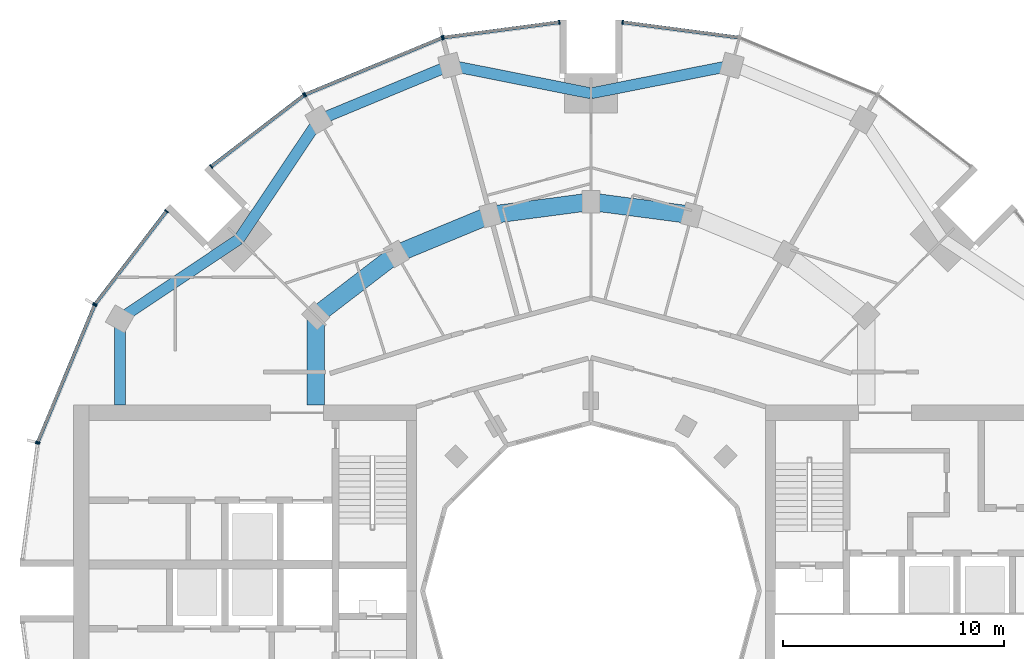
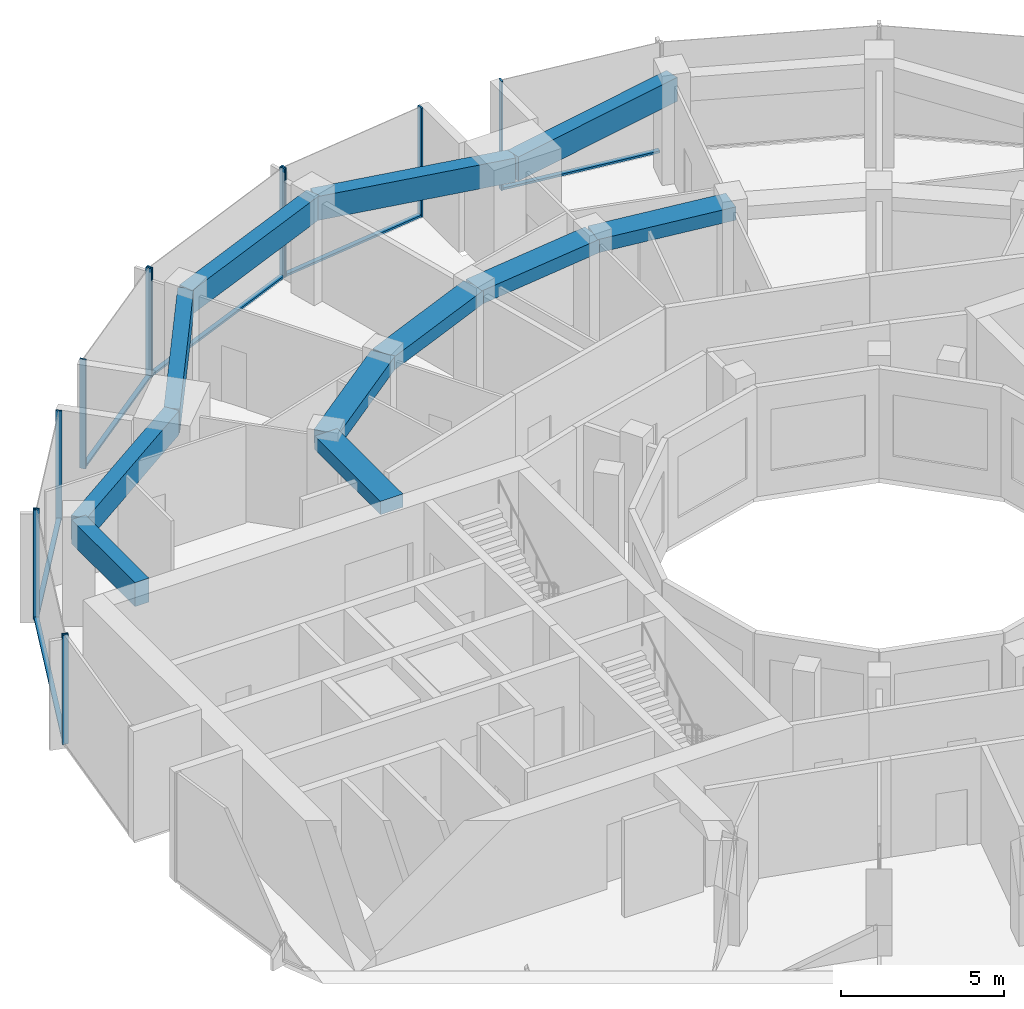
# One storey, part 5 of 15: 18 members, 11 beams, 7 elements without a shape of their own.
"""IFC4 building model written with IfcOpenShell, lengths in metres."""

from ifc_helpers import new_model, si_unit, direction, frame, origin, origin_2d, place, context, subcontext, project, spatial, rectangle, extrude, material, layer, layer_set, material_profile, profile_set, type_object, element, aggregate, save


model = new_model("IFC4")

# Units and contexts
model_context = context("Model", 3, precision=1e-05, world=origin(), true_north=direction((0.0, 1.0)))
body_context = subcontext(model_context, "Body", "Model", "MODEL_VIEW")
ifc_project = project(units=[si_unit("LENGTHUNIT", "METRE"), si_unit("AREAUNIT", "SQUARE_METRE"), si_unit("VOLUMEUNIT", "CUBIC_METRE"), si_unit("PLANEANGLEUNIT", "RADIAN"), si_unit("MASSUNIT", "GRAM", prefix="KILO")], contexts=[model_context])

# Site, building, storey
site_placement = place(None, origin())
site = spatial("IfcSite", under=ifc_project, at=site_placement, CompositionType="ELEMENT")
building_placement = place(site_placement, origin())
building = spatial("IfcBuilding", under=site, at=building_placement, Name="Torre Brocal", CompositionType="ELEMENT")
storey_placement = place(building_placement, frame((0.0, 0.0, 198.699951171875)))
storey = spatial("IfcBuildingStorey", under=building, at=storey_placement, Name="L46", CompositionType="ELEMENT", Elevation=198.699951171875)

# Curtain wall, member
ifc_material_1 = material(Name="Aluminium and glass", Category="aluminium")
ifc_layer_1 = layer(ifc_material_1, 0.199951171875)
ifc_layer_set_1 = layer_set([ifc_layer_1], Name="Aluminium and glass")
curtain_wall_type_1 = type_object("IfcCurtainWallType", Name="CW-1 CURTAIN WALL 4100 HIGH", PredefinedType="NOTDEFINED", material=ifc_layer_set_1)
curtain_wall_1_placement = place(storey_placement, origin())
curtain_wall_1 = element("IfcCurtainWall", 1, at=curtain_wall_1_placement, inside=storey, type_object=curtain_wall_type_1, Name="CW-1 RUN 6", PredefinedType="NOTDEFINED")
ifc_material_2 = material(Name="Aluminium, dark anodised", Category="aluminium")
ifc_material_profile_1 = material_profile(ifc_material_2, rectangle(XDim=0.199951171875, YDim=0.06005859375, at=origin_2d()), Name="CW-1 MULLION 60X200")
ifc_profile_set_1 = profile_set([ifc_material_profile_1], Name="Aluminium, dark anodised")
member_type_1 = type_object("IfcMemberType", Name="CW-1 MULLION 60X200", PredefinedType="MULLION", material=ifc_profile_set_1)
member_1_placement = place(storey_placement, frame((81.4296875, 100.7109375, 0.0), z_axis=(0.0, 0.0, 1.0), x_axis=(-0.13052619222, -0.991444861374, 0.0)))
member_1 = element("IfcMember", 2, at=member_1_placement, type_object=member_type_1, Name="CW1-4 mullion 2", PredefinedType="MULLION", context=body_context, shape_type="SweptSolid", body=[
    extrude(rectangle(XDim=0.199951171875, YDim=0.06005859375, at=origin_2d()), origin(), (0.0, 0.0, 1.0), 4.10009765625),
])

# Curtain wall, members
curtain_wall_2_placement = place(storey_placement, origin())
curtain_wall_2 = element("IfcCurtainWall", 3, at=curtain_wall_2_placement, inside=storey, type_object=curtain_wall_type_1, Name="CW-1 RUN 7", PredefinedType="NOTDEFINED")
member_2_placement = place(storey_placement, frame((78.5703125, 100.7109375, 0.0), z_axis=(0.0, 0.0, 1.0), x_axis=(0.13052619222, -0.991444861374, 0.0)))
member_2 = element("IfcMember", 4, at=member_2_placement, type_object=member_type_1, Name="CW1-4 mullion 1", PredefinedType="MULLION", context=body_context, shape_type="SweptSolid", body=[
    extrude(rectangle(XDim=0.199951171875, YDim=0.06005859375, at=origin_2d()), origin(), (0.0, 0.0, 1.0), 4.10009765625),
])
member_3_placement = place(storey_placement, frame((73.32666015625, 100.0205078125, 0.0), z_axis=(0.0, 0.0, 1.0), x_axis=(0.13052619222, -0.991444861374, 0.0)))
member_3 = element("IfcMember", 5, at=member_3_placement, type_object=member_type_1, Name="CW1-4 mullion 2", PredefinedType="MULLION", context=body_context, shape_type="SweptSolid", body=[
    extrude(rectangle(XDim=0.199951171875, YDim=0.06005859375, at=origin_2d()), origin(), (0.0, 0.0, 1.0), 4.10009765625),
])

curtain_wall_3_placement = place(storey_placement, origin())
curtain_wall_3 = element("IfcCurtainWall", 6, at=curtain_wall_3_placement, inside=storey, type_object=curtain_wall_type_1, Name="CW-1 RUN 8", PredefinedType="NOTDEFINED")
member_4_placement = place(storey_placement, frame((73.26904296875, 100.005126953125, 0.0), z_axis=(0.0, 0.0, 1.0), x_axis=(0.382683432333, -0.923879532525, 0.0)))
member_4 = element("IfcMember", 7, at=member_4_placement, type_object=member_type_1, Name="CW1-4 mullion 1", PredefinedType="MULLION", context=body_context, shape_type="SweptSolid", body=[
    extrude(rectangle(XDim=0.199951171875, YDim=0.06005859375, at=origin_2d()), origin(), (0.0, 0.0, 1.0), 4.10009765625),
])
member_5_placement = place(storey_placement, frame((67.078125, 97.440673828125, 0.0), z_axis=(0.0, 0.0, 1.0), x_axis=(0.382683432333, -0.923879532525, 0.0)))
member_5 = element("IfcMember", 8, at=member_5_placement, type_object=member_type_1, Name="CW1-4 mullion 2", PredefinedType="MULLION", context=body_context, shape_type="SweptSolid", body=[
    extrude(rectangle(XDim=0.199951171875, YDim=0.06005859375, at=origin_2d()), origin(), (0.0, 0.0, 1.0), 4.10009765625),
])

curtain_wall_4_placement = place(storey_placement, origin())
curtain_wall_4 = element("IfcCurtainWall", 9, at=curtain_wall_4_placement, inside=storey, type_object=curtain_wall_type_1, Name="CW-1 RUN 9", PredefinedType="NOTDEFINED")
member_6_placement = place(storey_placement, frame((67.026611328125, 97.4111328125, 0.0), z_axis=(0.0, 0.0, 1.0), x_axis=(0.60876142905, -0.793353340259, 0.0)))
member_6 = element("IfcMember", 10, at=member_6_placement, type_object=member_type_1, Name="CW1-4 mullion 1", PredefinedType="MULLION", context=body_context, shape_type="SweptSolid", body=[
    extrude(rectangle(XDim=0.199951171875, YDim=0.06005859375, at=origin_2d()), origin(), (0.0, 0.0, 1.0), 4.10009765625),
])
member_7_placement = place(storey_placement, frame((62.83056640625, 94.19140625, 0.0), z_axis=(0.0, 0.0, 1.0), x_axis=(0.60876142905, -0.793353340259, 0.0)))
member_7 = element("IfcMember", 11, at=member_7_placement, type_object=member_type_1, Name="CW1-4 mullion 2", PredefinedType="MULLION", context=body_context, shape_type="SweptSolid", body=[
    extrude(rectangle(XDim=0.199951171875, YDim=0.06005859375, at=origin_2d()), origin(), (0.0, 0.0, 1.0), 4.10009765625),
])

curtain_wall_5_placement = place(storey_placement, origin())
curtain_wall_5 = element("IfcCurtainWall", 12, at=curtain_wall_5_placement, inside=storey, type_object=curtain_wall_type_1, Name="CW-1 RUN 10", PredefinedType="NOTDEFINED")
member_8_placement = place(storey_placement, frame((60.80859375, 92.16943359375, 0.0), z_axis=(0.0, 0.0, 1.0), x_axis=(0.793353340259, -0.60876142905, 0.0)))
member_8 = element("IfcMember", 13, at=member_8_placement, type_object=member_type_1, Name="CW1-4 mullion 1", PredefinedType="MULLION", context=body_context, shape_type="SweptSolid", body=[
    extrude(rectangle(XDim=0.199951171875, YDim=0.06005859375, at=origin_2d()), origin(), (0.0, 0.0, 1.0), 4.10009765625),
])
member_9_placement = place(storey_placement, frame((57.5888671875, 87.973388671875, 0.0), z_axis=(0.0, 0.0, 1.0), x_axis=(0.793353340259, -0.60876142905, 0.0)))
member_9 = element("IfcMember", 14, at=member_9_placement, type_object=member_type_1, Name="CW1-4 mullion 2", PredefinedType="MULLION", context=body_context, shape_type="SweptSolid", body=[
    extrude(rectangle(XDim=0.199951171875, YDim=0.06005859375, at=origin_2d()), origin(), (0.0, 0.0, 1.0), 4.10009765625),
])

curtain_wall_6_placement = place(storey_placement, origin())
curtain_wall_6 = element("IfcCurtainWall", 15, at=curtain_wall_6_placement, inside=storey, type_object=curtain_wall_type_1, Name="CW-1 RUN 11", PredefinedType="NOTDEFINED")
member_10_placement = place(storey_placement, frame((57.559326171875, 87.921875, 0.0), z_axis=(0.0, 0.0, 1.0), x_axis=(0.923879532525, -0.382683432333, 0.0)))
member_10 = element("IfcMember", 16, at=member_10_placement, type_object=member_type_1, Name="CW1-4 mullion 1", PredefinedType="MULLION", context=body_context, shape_type="SweptSolid", body=[
    extrude(rectangle(XDim=0.199951171875, YDim=0.06005859375, at=origin_2d()), origin(), (0.0, 0.0, 1.0), 4.10009765625),
])
member_11_placement = place(storey_placement, frame((54.994873046875, 81.73095703125, 0.0), z_axis=(0.0, 0.0, 1.0), x_axis=(0.923879532525, -0.382683432333, 0.0)))
member_11 = element("IfcMember", 17, at=member_11_placement, type_object=member_type_1, Name="CW1-4 mullion 2", PredefinedType="MULLION", context=body_context, shape_type="SweptSolid", body=[
    extrude(rectangle(XDim=0.199951171875, YDim=0.06005859375, at=origin_2d()), origin(), (0.0, 0.0, 1.0), 4.10009765625),
])

# Member
ifc_material_3 = material(Name="Aluminium, dark anodised", Category="aluminium")
ifc_material_profile_2 = material_profile(ifc_material_3, rectangle(XDim=0.159912109375, YDim=0.080078125, at=origin_2d()), Name="CW-1 TRANSOM 160X80")
ifc_profile_set_2 = profile_set([ifc_material_profile_2], Name="Aluminium, dark anodised")
member_type_2 = type_object("IfcMemberType", Name="CW-1 TRANSOM 160X80", PredefinedType="USERDEFINED", material=ifc_profile_set_2)
member_12_placement = place(storey_placement, frame((86.643798828125, 100.0244140625, 0.0400390625), z_axis=(-0.991442690863, 0.130542677827, 0.0), x_axis=(-0.130542677827, -0.991442690863, 0.0)))
member_12 = element("IfcMember", 18, at=member_12_placement, type_object=member_type_2, Name="CW1-4 transom 1.1", ObjectType="TRANSOM", PredefinedType="USERDEFINED", context=body_context, shape_type="SweptSolid", body=[
    extrude(rectangle(XDim=0.159912109375, YDim=0.080078125, at=origin_2d()), origin(), (0.0, 0.0, 1.0), 5.22900390625),
])

aggregate(curtain_wall_1, [member_1, member_12])

member_13_placement = place(storey_placement, frame((78.54052734375, 100.70703125, 0.0400390625), z_axis=(-0.991442690863, -0.130542677827, 0.0), x_axis=(0.130542677827, -0.991442690863, 0.0)))
member_13 = element("IfcMember", 19, at=member_13_placement, type_object=member_type_2, Name="CW1-4 transom 1.1", ObjectType="TRANSOM", PredefinedType="USERDEFINED", context=body_context, shape_type="SweptSolid", body=[
    extrude(rectangle(XDim=0.159912109375, YDim=0.080078125, at=origin_2d()), origin(), (0.0, 0.0, 1.0), 5.22900390625),
])

aggregate(curtain_wall_2, [member_2, member_3, member_13])

member_14_placement = place(storey_placement, frame((73.241455078125, 99.99365234375, 0.0400390625), z_axis=(-0.923887344364, -0.38266457234, 0.0), x_axis=(0.38266457234, -0.923887344364, 0.0)))
member_14 = element("IfcMember", 20, at=member_14_placement, type_object=member_type_2, Name="CW1-4 transom 1.1", ObjectType="TRANSOM", PredefinedType="USERDEFINED", context=body_context, shape_type="SweptSolid", body=[
    extrude(rectangle(XDim=0.159912109375, YDim=0.080078125, at=origin_2d()), origin(), (0.0, 0.0, 1.0), 6.640869140625),
])

aggregate(curtain_wall_3, [member_4, member_5, member_14])

member_15_placement = place(storey_placement, frame((67.0029296875, 97.392822265625, 0.0400390625), z_axis=(-0.79336281513, -0.60874908096, 0.0), x_axis=(0.60874908096, -0.79336281513, 0.0)))
member_15 = element("IfcMember", 21, at=member_15_placement, type_object=member_type_2, Name="CW1-4 transom 1.1", ObjectType="TRANSOM", PredefinedType="USERDEFINED", context=body_context, shape_type="SweptSolid", body=[
    extrude(rectangle(XDim=0.159912109375, YDim=0.080078125, at=origin_2d()), origin(), (0.0, 0.0, 1.0), 5.22900390625),
])

aggregate(curtain_wall_4, [member_6, member_7, member_15])

member_16_placement = place(storey_placement, frame((60.790283203125, 92.1455078125, 0.0400390625), z_axis=(-0.60874908096, -0.79336281513, 0.0), x_axis=(0.79336281513, -0.60874908096, 0.0)))
member_16 = element("IfcMember", 22, at=member_16_placement, type_object=member_type_2, Name="CW1-4 transom 1.1", ObjectType="TRANSOM", PredefinedType="USERDEFINED", context=body_context, shape_type="SweptSolid", body=[
    extrude(rectangle(XDim=0.159912109375, YDim=0.080078125, at=origin_2d()), origin(), (0.0, 0.0, 1.0), 5.22900390625),
])

aggregate(curtain_wall_5, [member_8, member_9, member_16])

member_17_placement = place(storey_placement, frame((57.547607421875, 87.89404296875, 0.0400390625), z_axis=(-0.38266457234, -0.923887344364, 0.0), x_axis=(0.923887344364, -0.38266457234, 0.0)))
member_17 = element("IfcMember", 23, at=member_17_placement, type_object=member_type_2, Name="CW1-4 transom 1.1", ObjectType="TRANSOM", PredefinedType="USERDEFINED", context=body_context, shape_type="SweptSolid", body=[
    extrude(rectangle(XDim=0.159912109375, YDim=0.080078125, at=origin_2d()), origin(), (0.0, 0.0, 1.0), 6.640869140625),
])

aggregate(curtain_wall_6, [member_10, member_11, member_17])

# Curtain wall, member
ifc_material_4 = material(Name="Aluminium and glass", Category="aluminium")
ifc_layer_2 = layer(ifc_material_4, 0.199951171875)
ifc_layer_set_2 = layer_set([ifc_layer_2], Name="Aluminium and glass")
curtain_wall_type_2 = type_object("IfcCurtainWallType", Name="CW-1B CURTAIN WALL 4100 HIGH", PredefinedType="NOTDEFINED", material=ifc_layer_set_2)
curtain_wall_7_placement = place(storey_placement, origin())
curtain_wall_7 = element("IfcCurtainWall", 24, at=curtain_wall_7_placement, inside=storey, type_object=curtain_wall_type_2, Name="CW-1B RUN 12", PredefinedType="NOTDEFINED")
ifc_material_5 = material(Name="Aluminium, dark anodised", Category="aluminium")
ifc_material_profile_3 = material_profile(ifc_material_5, rectangle(XDim=0.199951171875, YDim=0.06005859375, at=origin_2d()), Name="CW-1B MULLION 60X200")
ifc_profile_set_3 = profile_set([ifc_material_profile_3], Name="Aluminium, dark anodised")
member_type_3 = type_object("IfcMemberType", Name="CW-1B MULLION 60X200", PredefinedType="MULLION", material=ifc_profile_set_3)
member_18_placement = place(storey_placement, frame((54.9794921875, 81.67333984375, 0.0), z_axis=(0.0, 0.0, 1.0), x_axis=(0.991444861374, -0.13052619222, 0.0)))
member_18 = element("IfcMember", 25, at=member_18_placement, type_object=member_type_3, Name="CW1B-4 mullion 1", PredefinedType="MULLION", context=body_context, shape_type="SweptSolid", body=[
    extrude(rectangle(XDim=0.199951171875, YDim=0.06005859375, at=origin_2d()), origin(), (0.0, 0.0, 1.0), 4.10009765625),
])
aggregate(curtain_wall_7, [member_18])

# Beams
ifc_material_6 = material(Name="Concrete C50", Category="concrete")
ifc_material_profile_4 = material_profile(ifc_material_6, rectangle(XDim=0.800048828125, YDim=0.5, at=origin_2d()), Name="RC 800X500")
ifc_profile_set_4 = profile_set([ifc_material_profile_4], Name="Concrete C50")
beam_type_1 = type_object("IfcBeamType", Name="RC BEAM 800X500 C50 TOP 3780", PredefinedType="BEAM", material=ifc_profile_set_4)
for number, where, z_axis, x_axis, name in (
    (26, (84.55517578125, 92.000244140625, 3.530029296875), (-0.991440544449, 0.130558978332, 0.0), (-0.130558978332, -0.991440544449, 0.0), "Beam BT-32"),
    (27, (80.0, 92.60009765625, 3.530029296875), (-0.991440544449, -0.130558978332, 0.0), (0.130558978332, -0.991440544449, 0.0), "Beam BT-32"),
):
    element("IfcBeam", number, at=place(storey_placement, frame(where, z_axis=z_axis, x_axis=x_axis)), inside=storey, type_object=beam_type_1, Name=name, PredefinedType="BEAM", context=body_context, shape_type="SweptSolid", body=[
        extrude(rectangle(XDim=0.800048828125, YDim=0.5, at=origin_2d()), origin(), (0.0, 0.0, 1.0), 4.594482421875),
    ])
beam_1_placement = place(storey_placement, frame((75.44482421875, 92.000244140625, 3.530029296875), z_axis=(-0.923878240166, -0.382686552348, 0.0), x_axis=(0.382686552348, -0.923878240166, 0.0)))
element("IfcBeam", 28, at=beam_1_placement, inside=storey, type_object=beam_type_1, Name="Beam BT-32", PredefinedType="BEAM", context=body_context, shape_type="SweptSolid", body=[
    extrude(rectangle(XDim=0.800048828125, YDim=0.5, at=origin_2d()), origin(), (0.0, 0.0, 1.0), 4.5947265625),
])
beam_2_placement = place(storey_placement, frame((71.199951171875, 90.241943359375, 3.530029296875), z_axis=(-0.793358265959, -0.6087550097, 0.0), x_axis=(0.6087550097, -0.793358265959, 0.0)))
element("IfcBeam", 29, at=beam_2_placement, inside=storey, type_object=beam_type_1, Name="Beam BT-32", PredefinedType="BEAM", context=body_context, shape_type="SweptSolid", body=[
    extrude(rectangle(XDim=0.800048828125, YDim=0.5, at=origin_2d()), origin(), (0.0, 0.0, 1.0), 4.594482421875),
])
beam_3_placement = place(storey_placement, frame((67.554931640625, 87.445068359375, 3.530029296875), z_axis=(0.0, -1.0, 0.0), x_axis=(1.0, 0.0, 0.0)))
element("IfcBeam", 30, at=beam_3_placement, inside=storey, type_object=beam_type_1, Name="Beam BT-32", PredefinedType="BEAM", context=body_context, shape_type="SweptSolid", body=[
    extrude(rectangle(XDim=0.800048828125, YDim=0.5, at=origin_2d()), origin(), (0.0, 0.0, 1.0), 4.045166015625),
])
ifc_material_7 = material(Name="Concrete C50", Category="concrete")
ifc_material_profile_5 = material_profile(ifc_material_7, rectangle(XDim=0.5, YDim=0.89990234375, at=origin_2d()), Name="RC 500X900")
ifc_profile_set_5 = profile_set([ifc_material_profile_5], Name="Concrete C50")
beam_type_2 = type_object("IfcBeamType", Name="RC SPANDREL BEAM 500X900 C50 TOP 3780", PredefinedType="SPANDREL", material=ifc_profile_set_5)
for number, where, z_axis, x_axis, name in (
    (31, (86.366943359375, 98.76171875, 3.330078125), (-0.980924907484, -0.194387051723, 0.0), (0.194387051723, -0.980924907484, 0.0), "Beam BT-33"),
    (32, (80.0, 97.5, 3.330078125), (-0.980924907484, 0.194387051723, 0.0), (-0.194387051723, -0.980924907484, 0.0), "Beam BT-33"),
):
    element("IfcBeam", number, at=place(storey_placement, frame(where, z_axis=z_axis, x_axis=x_axis)), inside=storey, type_object=beam_type_2, Name=name, PredefinedType="SPANDREL", context=body_context, shape_type="SweptSolid", body=[
        extrude(rectangle(XDim=0.5, YDim=0.89990234375, at=origin_2d()), origin(), (0.0, 0.0, 1.0), 6.49072265625),
    ])
beam_4_placement = place(storey_placement, frame((73.633056640625, 98.76171875, 3.330078125), z_axis=(-0.923882462513, -0.382676358639, 0.0), x_axis=(0.382676358639, -0.923882462513, 0.0)))
element("IfcBeam", 33, at=beam_4_placement, inside=storey, type_object=beam_type_2, Name="Beam BT-33", PredefinedType="SPANDREL", context=body_context, shape_type="SweptSolid", body=[
    extrude(rectangle(XDim=0.5, YDim=0.89990234375, at=origin_2d()), origin(), (0.0, 0.0, 1.0), 6.421875),
])
for number, where, z_axis, x_axis, name in (
    (34, (67.699951171875, 96.30419921875, 3.330078125), (-0.556157602282, -0.831076844476, 0.0), (0.831076844476, -0.556157602282, 0.0), "Beam BT-33"),
    (35, (64.090087890625, 90.909912109375, 3.330078125), (-0.831076844476, -0.556157602282, 0.0), (0.556157602282, -0.831076844476, 0.0), "Beam BT-33"),
):
    element("IfcBeam", number, at=place(storey_placement, frame(where, z_axis=z_axis, x_axis=x_axis)), inside=storey, type_object=beam_type_2, Name=name, PredefinedType="SPANDREL", context=body_context, shape_type="SweptSolid", body=[
        extrude(rectangle(XDim=0.5, YDim=0.89990234375, at=origin_2d()), origin(), (0.0, 0.0, 1.0), 6.49072265625),
    ])
beam_5_placement = place(storey_placement, frame((58.69580078125, 87.300048828125, 3.330078125), z_axis=(0.0, -1.0, 0.0), x_axis=(1.0, 0.0, 0.0)))
element("IfcBeam", 36, at=beam_5_placement, inside=storey, type_object=beam_type_2, Name="Beam BT-33", PredefinedType="SPANDREL", context=body_context, shape_type="SweptSolid", body=[
    extrude(rectangle(XDim=0.5, YDim=0.89990234375, at=origin_2d()), origin(), (0.0, 0.0, 1.0), 3.900146484375),
])

save(model, "model.ifc")
